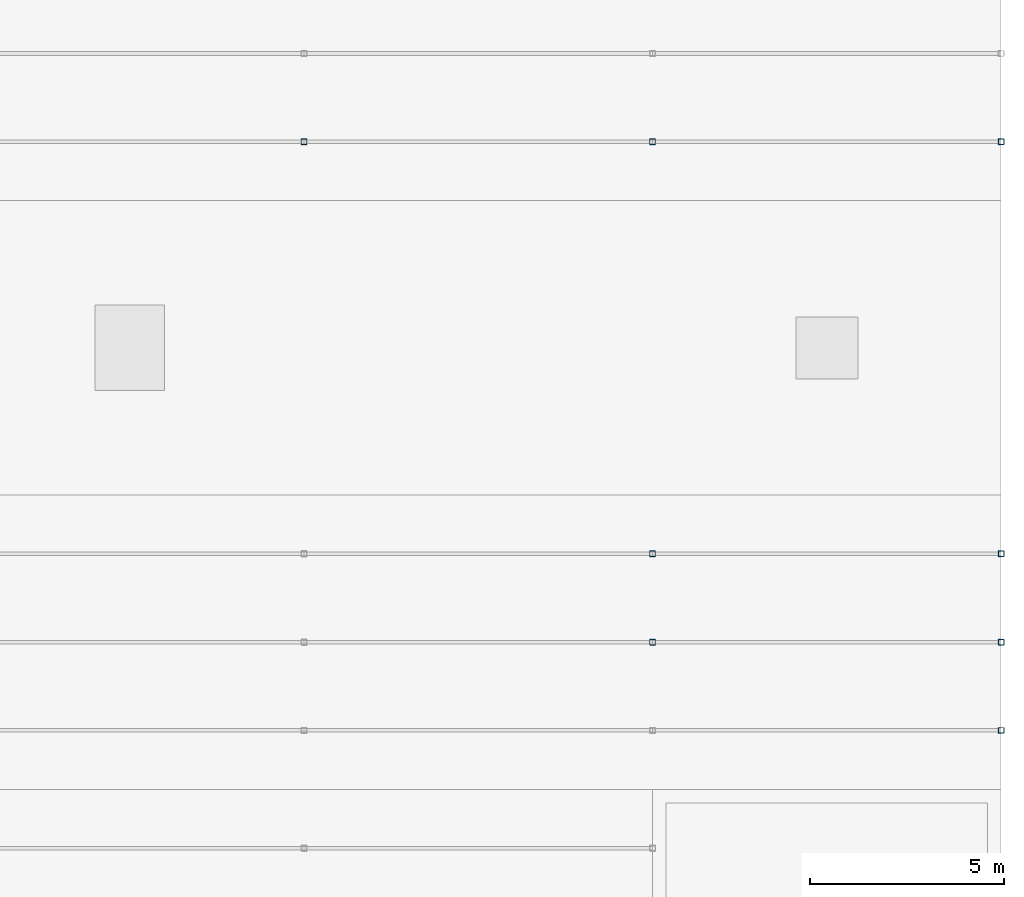
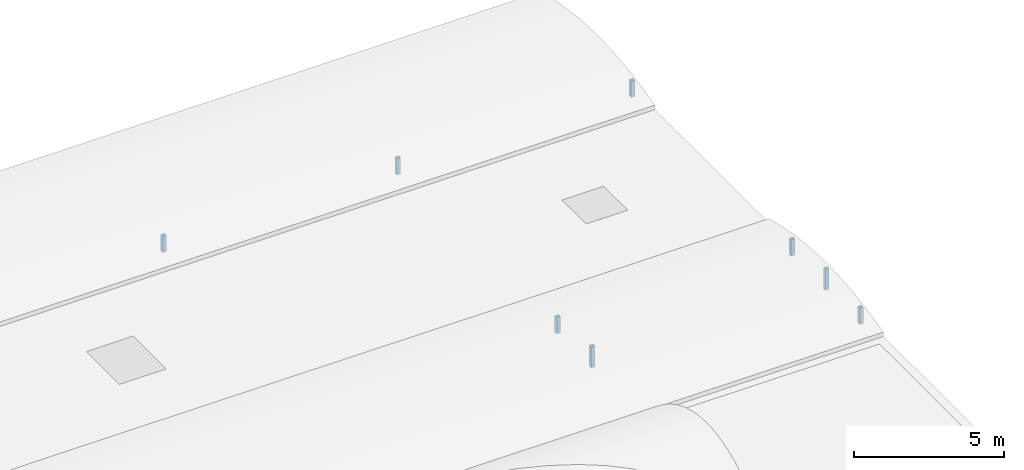
# One storey, part 35 of 46: 8 members.
"""IFC4 building model written with IfcOpenShell, lengths in metres."""

from ifc_helpers import new_model, si_unit, direction, frame, origin, origin_2d, place, context, subcontext, project, spatial, hollow_rectangle, extrude, material, material_profile, profile_set, type_object, element, save


model = new_model("IFC4")

# Units and contexts
model_context = context("Model", 3, precision=1e-05, world=origin(), true_north=direction((0.0, 1.0)))
body_context = subcontext(model_context, "Body", "Model", "MODEL_VIEW")
ifc_project = project(units=[si_unit("LENGTHUNIT", "METRE"), si_unit("AREAUNIT", "SQUARE_METRE"), si_unit("VOLUMEUNIT", "CUBIC_METRE"), si_unit("PLANEANGLEUNIT", "RADIAN"), si_unit("MASSUNIT", "GRAM", prefix="KILO")], contexts=[model_context])

# Site, building, storey
site_placement = place(None, origin())
site = spatial("IfcSite", under=ifc_project, at=site_placement, CompositionType="ELEMENT")
building_placement = place(site_placement, origin())
building = spatial("IfcBuilding", under=site, at=building_placement, Name="Shalkamar Park Central Library", CompositionType="ELEMENT")
storey_placement = place(building_placement, frame((0.0, 0.0, 20.39990234375)))
storey = spatial("IfcBuildingStorey", under=building, at=storey_placement, Name="L05", CompositionType="ELEMENT", Elevation=20.39990234375)

# Members
ifc_material = material(Name="Steel S355", Category="steel")
ifc_material_profile = material_profile(ifc_material, hollow_rectangle(XDim=0.14990234375, YDim=0.14990234375, WallThickness=0.008056640625, InnerFilletRadius=0.008056640625, OuterFilletRadius=0.011962890625, at=origin_2d()), Name="SHS 150x150x8")
ifc_profile_set = profile_set([ifc_material_profile], Name="Steel S355")
member_type = type_object("IfcMemberType", Name="Diagonal Brace SHS150", PredefinedType="BRACE", material=ifc_profile_set)
member_1_placement = place(storey_placement, frame((255.0, 297.0, -0.35986328125), z_axis=(0.0, 0.0, 1.0), x_axis=(1.0, 0.0, 0.0)))
element("IfcMember", 1, at=member_1_placement, inside=storey, type_object=member_type, Name="Vault Arch Post BV-L04-N1-18.2", PredefinedType="BRACE", context=body_context, shape_type="SweptSolid", body=[
    extrude(hollow_rectangle(XDim=0.14990234375, YDim=0.14990234375, WallThickness=0.008056640625, InnerFilletRadius=0.008056640625, OuterFilletRadius=0.011962890625, at=origin_2d()), origin(), (0.0, 0.0, 1.0), 0.83984375),
])
for number, where, z_axis, x_axis, name in (
    (2, (255.0, 299.280029296875, -0.35986328125), (0.0, 0.0, 1.0), (1.0, 0.0, 0.0), "Vault Arch Post BV-L04-N1-18.3"),
    (3, (264.0, 294.719970703125, -0.35986328125), (0.0, 0.0, 1.0), (1.0, 0.0, 0.0), "Vault Arch Post BV-L04-N1-19.1"),
):
    element("IfcMember", number, at=place(storey_placement, frame(where, z_axis=z_axis, x_axis=x_axis)), inside=storey, type_object=member_type, Name=name, PredefinedType="BRACE", context=body_context, shape_type="SweptSolid", body=[
        extrude(hollow_rectangle(XDim=0.14990234375, YDim=0.14990234375, WallThickness=0.008056640625, InnerFilletRadius=0.008056640625, OuterFilletRadius=0.011962890625, at=origin_2d()), origin(), (0.0, 0.0, 1.0), 0.65283203125),
    ])
member_2_placement = place(storey_placement, frame((264.0, 297.0, -0.35986328125), z_axis=(0.0, 0.0, 1.0), x_axis=(1.0, 0.0, 0.0)))
element("IfcMember", 4, at=member_2_placement, inside=storey, type_object=member_type, Name="Vault Arch Post BV-L04-N1-19.2", PredefinedType="BRACE", context=body_context, shape_type="SweptSolid", body=[
    extrude(hollow_rectangle(XDim=0.14990234375, YDim=0.14990234375, WallThickness=0.008056640625, InnerFilletRadius=0.008056640625, OuterFilletRadius=0.011962890625, at=origin_2d()), origin(), (0.0, 0.0, 1.0), 0.83984375),
])
for number, where, z_axis, x_axis, name in (
    (5, (264.0, 299.280029296875, -0.35986328125), (0.0, 0.0, 1.0), (1.0, 0.0, 0.0), "Vault Arch Post BV-L04-N1-19.3"),
    (6, (246.0, 309.919921875, -0.35986328125), (0.0, 0.0, 1.0), (1.0, 0.0, 0.0), "Vault Arch Post BV-L04-N2-17.1"),
    (7, (255.0, 309.919921875, -0.35986328125), (0.0, 0.0, 1.0), (1.0, 0.0, 0.0), "Vault Arch Post BV-L04-N2-18.1"),
    (8, (264.0, 309.919921875, -0.35986328125), (0.0, 0.0, 1.0), (1.0, 0.0, 0.0), "Vault Arch Post BV-L04-N2-19.1"),
):
    element("IfcMember", number, at=place(storey_placement, frame(where, z_axis=z_axis, x_axis=x_axis)), inside=storey, type_object=member_type, Name=name, PredefinedType="BRACE", context=body_context, shape_type="SweptSolid", body=[
        extrude(hollow_rectangle(XDim=0.14990234375, YDim=0.14990234375, WallThickness=0.008056640625, InnerFilletRadius=0.008056640625, OuterFilletRadius=0.011962890625, at=origin_2d()), origin(), (0.0, 0.0, 1.0), 0.65283203125),
    ])

save(model, "model.ifc")
